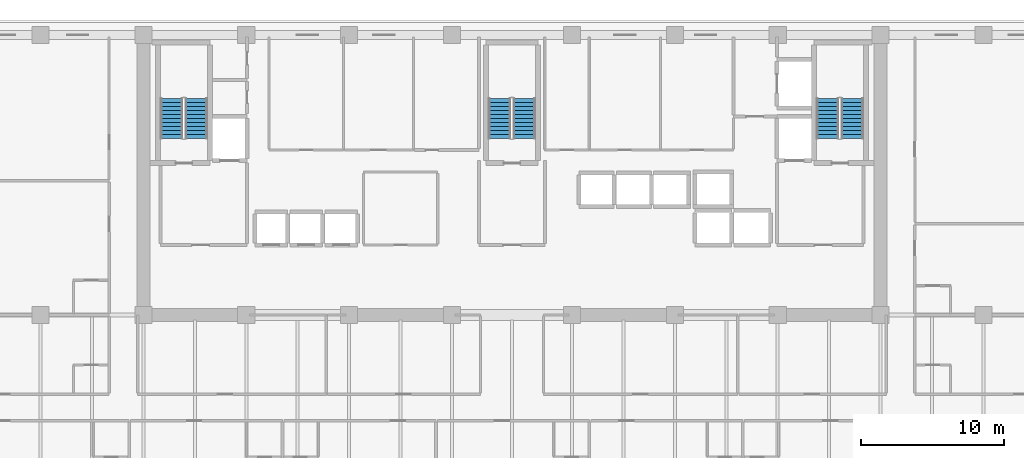
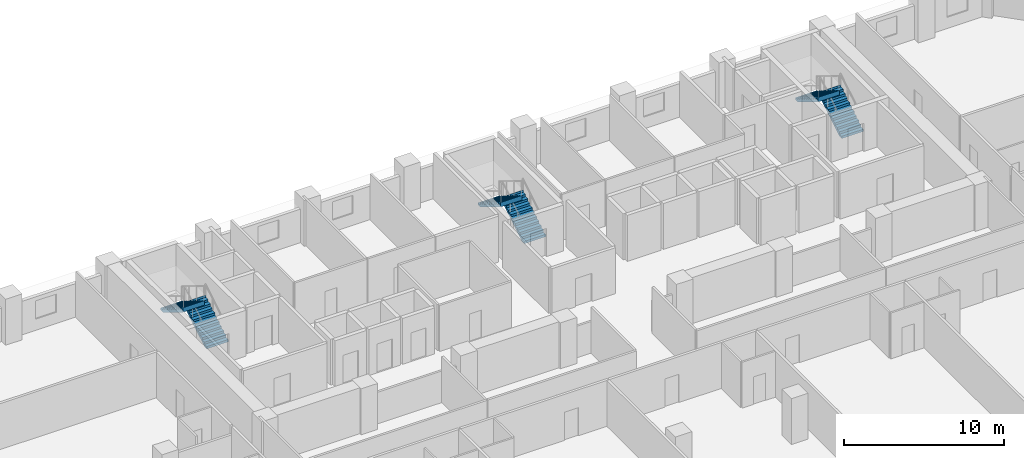
# One storey, part 11 of 15: 6 stair flights, 3 elements without a shape of their own.
"""IFC4 building model written with IfcOpenShell, lengths in metres."""

from ifc_helpers import new_model, si_unit, direction, frame, origin, place, context, subcontext, project, spatial, polyline, outline, extrude, material, type_object, element, aggregate, save


model = new_model("IFC4")

# Units and contexts
model_context = context("Model", 3, precision=1e-05, world=origin(), true_north=direction((0.0, 1.0)))
body_context = subcontext(model_context, "Body", "Model", "MODEL_VIEW")
ifc_project = project(units=[si_unit("LENGTHUNIT", "METRE"), si_unit("AREAUNIT", "SQUARE_METRE"), si_unit("VOLUMEUNIT", "CUBIC_METRE"), si_unit("PLANEANGLEUNIT", "RADIAN"), si_unit("MASSUNIT", "GRAM", prefix="KILO")], contexts=[model_context])

# Site, building, storey
site_placement = place(None, origin())
site = spatial("IfcSite", under=ifc_project, at=site_placement, CompositionType="ELEMENT")
building_placement = place(site_placement, origin())
building = spatial("IfcBuilding", under=site, at=building_placement, Name="Kaelvorn Grand Hotel", CompositionType="ELEMENT")
storey_placement = place(building_placement, frame((0.0, 0.0, 100.550048828125)))
storey = spatial("IfcBuildingStorey", under=building, at=storey_placement, Name="L23", CompositionType="ELEMENT", Elevation=100.550048828125)

# Stair, stair flights
ifc_material = material(Name="Concrete C40/50", Category="concrete")
stair_type = type_object("IfcStairType", Name="STR-DOG-1560-R06", PredefinedType="HALF_TURN_STAIR", material=ifc_material)
stair_1_placement = place(storey_placement, origin())
stair_1 = element("IfcStair", 1, at=stair_1_placement, inside=storey, type_object=stair_type, Name="L23 West Core Exit Stair ST1", PredefinedType="HALF_TURN_STAIR")
stair_flight_type = type_object("IfcStairFlightType", Name="FLG-DOG-1560-R06", PredefinedType="STRAIGHT", material=ifc_material)
stair_flight_1_placement = place(storey_placement, frame((19.89990234375, 41.760009765625, 0.0), z_axis=(0.0, 0.0, 1.0), x_axis=(0.0, 1.0, 0.0)))
stair_flight_1 = element("IfcStairFlight", 2, at=stair_flight_1_placement, type_object=stair_flight_type, Name="ST1 flight 1", NumberOfRisers=11, NumberOfTreads=10, PredefinedType="STRAIGHT", RiserHeight=0.170454545, TreadLength=0.28, context=body_context, shape_type="SweptSolid", body=[
    extrude(outline(polyline([(-0.0048828125, 0.0), (-0.0048828125, 0.0400390625), (0.0, 0.17041015625), (0.280029296875, 0.17041015625), (0.280029296875, 0.3408203125), (0.56005859375, 0.3408203125), (0.56005859375, 0.511474609375), (0.840087890625, 0.511474609375), (0.840087890625, 0.681884765625), (1.1201171875, 0.681884765625), (1.1201171875, 0.852294921875), (1.39990234375, 0.852294921875), (1.39990234375, 1.022705078125), (1.679931640625, 1.022705078125), (1.679931640625, 1.193115234375), (1.9599609375, 1.193115234375), (1.9599609375, 1.363525390625), (2.239990234375, 1.363525390625), (2.239990234375, 1.5341796875), (2.52001953125, 1.5341796875), (2.52001953125, 1.70458984375), (2.800048828125, 1.70458984375), (2.800048828125, 1.875), (2.804931640625, 1.875), (2.804931640625, 1.529052734375), (0.288330078125, 0.0), (-0.0048828125, 0.0)])), frame((0.0, 0.780029296875, 0.0), z_axis=(0.0, -1.0, 0.0), x_axis=(1.0, 0.0, 0.0)), (0.0, 0.0, 1.0), 1.56005859375),
])
stair_flight_2_placement = place(storey_placement, frame((18.179931640625, 44.56005859375, 1.875), z_axis=(0.0, 0.0, 1.0), x_axis=(0.0, -1.0, 0.0)))
stair_flight_2 = element("IfcStairFlight", 3, at=stair_flight_2_placement, type_object=stair_flight_type, Name="ST1 flight 2", NumberOfRisers=11, NumberOfTreads=10, PredefinedType="STRAIGHT", RiserHeight=0.170454545, TreadLength=0.28, context=body_context, shape_type="SweptSolid", body=[
    extrude(outline(polyline([(-0.0048828125, 0.0), (-0.0048828125, 0.0400390625), (0.0, 0.17041015625), (0.280029296875, 0.17041015625), (0.280029296875, 0.3408203125), (0.56005859375, 0.3408203125), (0.56005859375, 0.511474609375), (0.840087890625, 0.511474609375), (0.840087890625, 0.681884765625), (1.1201171875, 0.681884765625), (1.1201171875, 0.852294921875), (1.39990234375, 0.852294921875), (1.39990234375, 1.022705078125), (1.679931640625, 1.022705078125), (1.679931640625, 1.193115234375), (1.9599609375, 1.193115234375), (1.9599609375, 1.363525390625), (2.239990234375, 1.363525390625), (2.239990234375, 1.5341796875), (2.52001953125, 1.5341796875), (2.52001953125, 1.70458984375), (2.800048828125, 1.70458984375), (2.800048828125, 1.875), (2.804931640625, 1.875), (2.804931640625, 1.529052734375), (0.288330078125, 0.0), (-0.0048828125, 0.0)])), frame((0.0, 0.780029296875, 0.0), z_axis=(0.0, -1.0, 0.0), x_axis=(1.0, 0.0, 0.0)), (0.0, 0.0, 1.0), 1.56005859375),
])
aggregate(stair_1, [stair_flight_1, stair_flight_2])

stair_2_placement = place(storey_placement, origin())
stair_2 = element("IfcStair", 4, at=stair_2_placement, inside=storey, type_object=stair_type, Name="L23 Central Core Exit Stair ST2", PredefinedType="HALF_TURN_STAIR")
stair_flight_3_placement = place(storey_placement, frame((42.860107421875, 41.760009765625, 0.0), z_axis=(0.0, 0.0, 1.0), x_axis=(0.0, 1.0, 0.0)))
stair_flight_3 = element("IfcStairFlight", 5, at=stair_flight_3_placement, type_object=stair_flight_type, Name="ST2 flight 1", NumberOfRisers=11, NumberOfTreads=10, PredefinedType="STRAIGHT", RiserHeight=0.170454545, TreadLength=0.28, context=body_context, shape_type="SweptSolid", body=[
    extrude(outline(polyline([(-0.0048828125, 0.0), (-0.0048828125, 0.0400390625), (0.0, 0.17041015625), (0.280029296875, 0.17041015625), (0.280029296875, 0.3408203125), (0.56005859375, 0.3408203125), (0.56005859375, 0.511474609375), (0.840087890625, 0.511474609375), (0.840087890625, 0.681884765625), (1.1201171875, 0.681884765625), (1.1201171875, 0.852294921875), (1.39990234375, 0.852294921875), (1.39990234375, 1.022705078125), (1.679931640625, 1.022705078125), (1.679931640625, 1.193115234375), (1.9599609375, 1.193115234375), (1.9599609375, 1.363525390625), (2.239990234375, 1.363525390625), (2.239990234375, 1.5341796875), (2.52001953125, 1.5341796875), (2.52001953125, 1.70458984375), (2.800048828125, 1.70458984375), (2.800048828125, 1.875), (2.804931640625, 1.875), (2.804931640625, 1.529052734375), (0.288330078125, 0.0), (-0.0048828125, 0.0)])), frame((0.0, 0.780029296875, 0.0), z_axis=(0.0, -1.0, 0.0), x_axis=(1.0, 0.0, 0.0)), (0.0, 0.0, 1.0), 1.56005859375),
])
stair_flight_4_placement = place(storey_placement, frame((41.139892578125, 44.56005859375, 1.875), z_axis=(0.0, 0.0, 1.0), x_axis=(0.0, -1.0, 0.0)))
stair_flight_4 = element("IfcStairFlight", 6, at=stair_flight_4_placement, type_object=stair_flight_type, Name="ST2 flight 2", NumberOfRisers=11, NumberOfTreads=10, PredefinedType="STRAIGHT", RiserHeight=0.170454545, TreadLength=0.28, context=body_context, shape_type="SweptSolid", body=[
    extrude(outline(polyline([(-0.0048828125, 0.0), (-0.0048828125, 0.0400390625), (0.0, 0.17041015625), (0.280029296875, 0.17041015625), (0.280029296875, 0.3408203125), (0.56005859375, 0.3408203125), (0.56005859375, 0.511474609375), (0.840087890625, 0.511474609375), (0.840087890625, 0.681884765625), (1.1201171875, 0.681884765625), (1.1201171875, 0.852294921875), (1.39990234375, 0.852294921875), (1.39990234375, 1.022705078125), (1.679931640625, 1.022705078125), (1.679931640625, 1.193115234375), (1.9599609375, 1.193115234375), (1.9599609375, 1.363525390625), (2.239990234375, 1.363525390625), (2.239990234375, 1.5341796875), (2.52001953125, 1.5341796875), (2.52001953125, 1.70458984375), (2.800048828125, 1.70458984375), (2.800048828125, 1.875), (2.804931640625, 1.875), (2.804931640625, 1.529052734375), (0.288330078125, 0.0), (-0.0048828125, 0.0)])), frame((0.0, 0.780029296875, 0.0), z_axis=(0.0, -1.0, 0.0), x_axis=(1.0, 0.0, 0.0)), (0.0, 0.0, 1.0), 1.56005859375),
])
aggregate(stair_2, [stair_flight_3, stair_flight_4])

stair_3_placement = place(storey_placement, origin())
stair_3 = element("IfcStair", 7, at=stair_3_placement, inside=storey, type_object=stair_type, Name="L23 East Core Exit Stair ST3", PredefinedType="HALF_TURN_STAIR")
stair_flight_5_placement = place(storey_placement, frame((65.820068359375, 41.760009765625, 0.0), z_axis=(0.0, 0.0, 1.0), x_axis=(0.0, 1.0, 0.0)))
stair_flight_5 = element("IfcStairFlight", 8, at=stair_flight_5_placement, type_object=stair_flight_type, Name="ST3 flight 1", NumberOfRisers=11, NumberOfTreads=10, PredefinedType="STRAIGHT", RiserHeight=0.170454545, TreadLength=0.28, context=body_context, shape_type="SweptSolid", body=[
    extrude(outline(polyline([(-0.0048828125, 0.0), (-0.0048828125, 0.0400390625), (0.0, 0.17041015625), (0.280029296875, 0.17041015625), (0.280029296875, 0.3408203125), (0.56005859375, 0.3408203125), (0.56005859375, 0.511474609375), (0.840087890625, 0.511474609375), (0.840087890625, 0.681884765625), (1.1201171875, 0.681884765625), (1.1201171875, 0.852294921875), (1.39990234375, 0.852294921875), (1.39990234375, 1.022705078125), (1.679931640625, 1.022705078125), (1.679931640625, 1.193115234375), (1.9599609375, 1.193115234375), (1.9599609375, 1.363525390625), (2.239990234375, 1.363525390625), (2.239990234375, 1.5341796875), (2.52001953125, 1.5341796875), (2.52001953125, 1.70458984375), (2.800048828125, 1.70458984375), (2.800048828125, 1.875), (2.804931640625, 1.875), (2.804931640625, 1.529052734375), (0.288330078125, 0.0), (-0.0048828125, 0.0)])), frame((0.0, 0.780029296875, 0.0), z_axis=(0.0, -1.0, 0.0), x_axis=(1.0, 0.0, 0.0)), (0.0, 0.0, 1.0), 1.56005859375),
])
stair_flight_6_placement = place(storey_placement, frame((64.10009765625, 44.56005859375, 1.875), z_axis=(0.0, 0.0, 1.0), x_axis=(0.0, -1.0, 0.0)))
stair_flight_6 = element("IfcStairFlight", 9, at=stair_flight_6_placement, type_object=stair_flight_type, Name="ST3 flight 2", NumberOfRisers=11, NumberOfTreads=10, PredefinedType="STRAIGHT", RiserHeight=0.170454545, TreadLength=0.28, context=body_context, shape_type="SweptSolid", body=[
    extrude(outline(polyline([(-0.0048828125, 0.0), (-0.0048828125, 0.0400390625), (0.0, 0.17041015625), (0.280029296875, 0.17041015625), (0.280029296875, 0.3408203125), (0.56005859375, 0.3408203125), (0.56005859375, 0.511474609375), (0.840087890625, 0.511474609375), (0.840087890625, 0.681884765625), (1.1201171875, 0.681884765625), (1.1201171875, 0.852294921875), (1.39990234375, 0.852294921875), (1.39990234375, 1.022705078125), (1.679931640625, 1.022705078125), (1.679931640625, 1.193115234375), (1.9599609375, 1.193115234375), (1.9599609375, 1.363525390625), (2.239990234375, 1.363525390625), (2.239990234375, 1.5341796875), (2.52001953125, 1.5341796875), (2.52001953125, 1.70458984375), (2.800048828125, 1.70458984375), (2.800048828125, 1.875), (2.804931640625, 1.875), (2.804931640625, 1.529052734375), (0.288330078125, 0.0), (-0.0048828125, 0.0)])), frame((0.0, 0.780029296875, 0.0), z_axis=(0.0, -1.0, 0.0), x_axis=(1.0, 0.0, 0.0)), (0.0, 0.0, 1.0), 1.56005859375),
])
aggregate(stair_3, [stair_flight_5, stair_flight_6])

save(model, "model.ifc")
